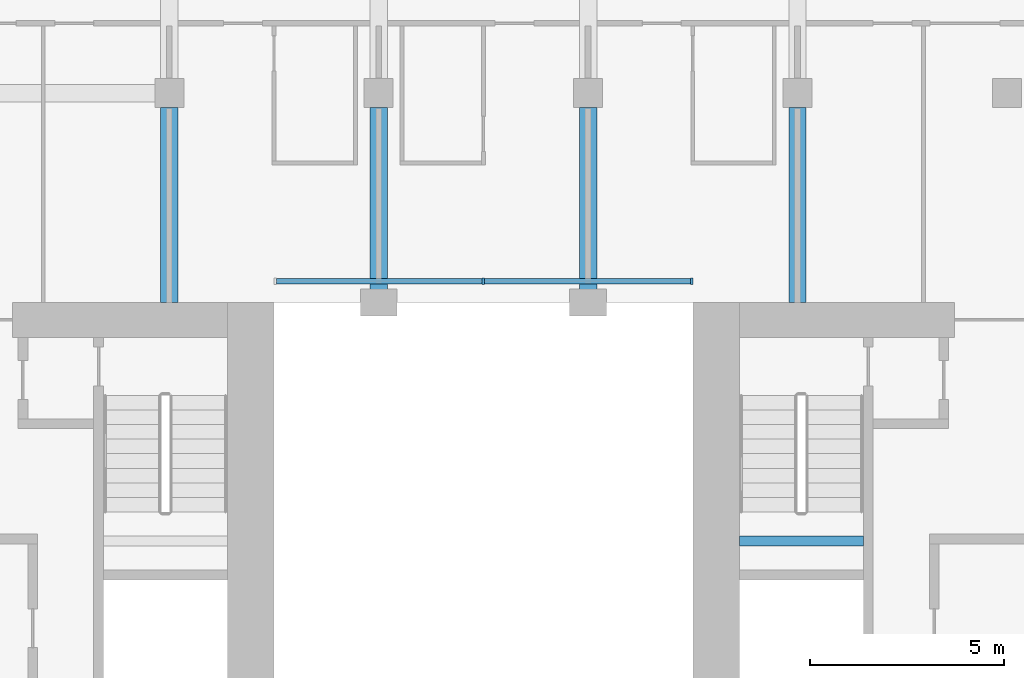
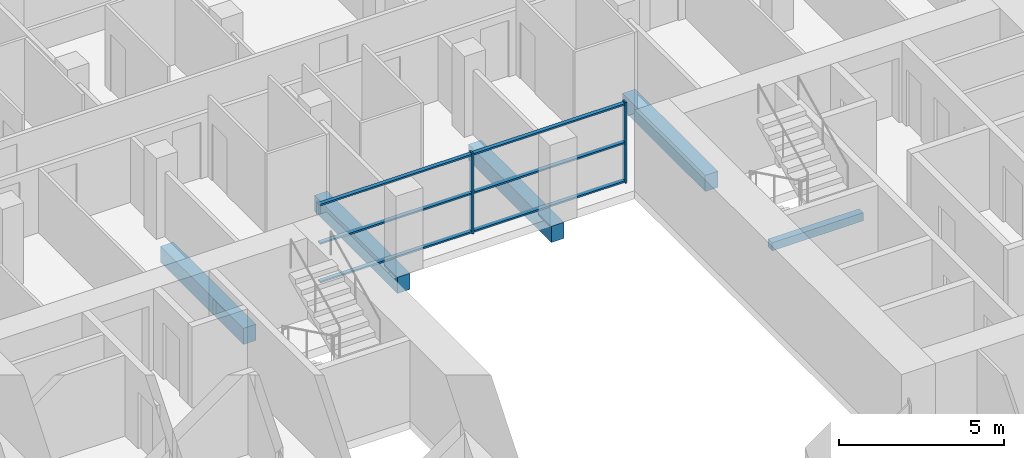
# One storey, part 4 of 14: 8 members, 5 beams, 1 element without a shape of its own.
"""IFC4 building model written with IfcOpenShell, lengths in metres."""

import ifcopenshell
import ifcopenshell.guid

model = None  # the IFC model being written
_history = None  # IfcOwnerHistory: only IFC2X3 demands one
_inside = {}  # id of a spatial element -> (the spatial element, [elements in it])
_under = {}  # id of a project, library or spatial element -> (it, [spatial elements below it])
_declared = {}  # id of a project -> (the project, [libraries it declares])
_typed = {}  # id of a type object -> (the type object, [elements of that type])
_made_of = {}  # id of a material, layer set ... -> (it, [elements and type objects made of it])


def new_model(schema):
    """Start an empty IFC model of exactly this schema.

    Asked for "IFC4X3", IfcOpenShell would pick the latest addendum, in which some entities
    have other attributes; the version numbers below select the first issue.
    IFC2X3 requires an IfcOwnerHistory on every rooted entity: one is made here for all.
    """
    global model, _history
    if schema == "IFC4X3":
        model = ifcopenshell.file(schema_version=(4, 3, 0, 0))
    else:
        model = ifcopenshell.file(schema=schema)
    _inside.clear()
    _under.clear()
    _declared.clear()
    _typed.clear()
    _made_of.clear()
    _history = None
    if model.schema == "IFC2X3":
        org = make("IfcOrganization", Name="unknown")
        user = make(
            "IfcPersonAndOrganization",
            ThePerson=make("IfcPerson", FamilyName="unknown"),
            TheOrganization=org,
        )
        app = make(
            "IfcApplication",
            ApplicationDeveloper=org,
            Version="unknown",
            ApplicationFullName="unknown",
            ApplicationIdentifier="unknown",
        )
        _history = make(
            "IfcOwnerHistory",
            OwningUser=user,
            OwningApplication=app,
            ChangeAction="ADDED",
            CreationDate=0,
        )
    return model


def make(cls, **values):
    """One entity of the class cls with the attributes given. An attribute that is None is left unset."""
    return model.create_entity(
        cls, **{name: value for name, value in values.items() if value is not None}
    )


def rooted(cls, **values):
    """An entity with a GlobalId (a new one), such as an element, a storey or a relation."""
    return make(cls, GlobalId=ifcopenshell.guid.new(), OwnerHistory=_history, **values)


def si_unit(unit_type, name, prefix=None):
    """IfcSIUnit, for example si_unit("LENGTHUNIT", "METRE", prefix="MILLI")."""
    return make("IfcSIUnit", UnitType=unit_type, Prefix=prefix, Name=name)


def assignment(units):
    """IfcUnitAssignment: the units of a project."""
    return None if units is None else make("IfcUnitAssignment", Units=units)


def point(xyz):
    """IfcCartesianPoint."""
    return None if xyz is None else make("IfcCartesianPoint", Coordinates=xyz)


def direction(xyz):
    """IfcDirection."""
    return None if xyz is None else make("IfcDirection", DirectionRatios=xyz)


def frame(location, z_axis=None, x_axis=None):
    """IfcAxis2Placement3D, a coordinate frame: its origin and axes. An axis left out is left unset."""
    return make(
        "IfcAxis2Placement3D",
        Location=point(location),
        Axis=direction(z_axis),
        RefDirection=direction(x_axis),
    )


def frame_2d(location, x_axis=None):
    """IfcAxis2Placement2D, a coordinate frame in the plane: its origin and x axis."""
    return make(
        "IfcAxis2Placement2D", Location=point(location), RefDirection=direction(x_axis)
    )


def origin():
    """The frame at (0, 0, 0) with its axes left unset."""
    return frame((0.0, 0.0, 0.0))


def origin_2d():
    """The frame at (0, 0) in the plane with its x axis left unset."""
    return frame_2d((0.0, 0.0))


def place(relative_to, where):
    """IfcLocalPlacement: puts the frame where relative to a parent placement (None: the world)."""
    return make(
        "IfcLocalPlacement", PlacementRelTo=relative_to, RelativePlacement=where
    )


def context(
    kind, dimensions, precision=None, world=None, true_north=None, identifier=None
):
    """IfcGeometricRepresentationContext, for example the 3D "Model" context."""
    return make(
        "IfcGeometricRepresentationContext",
        ContextIdentifier=identifier,
        ContextType=kind,
        CoordinateSpaceDimension=dimensions,
        Precision=precision,
        WorldCoordinateSystem=world,
        TrueNorth=true_north,
    )


def subcontext(parent, identifier, kind, view, scale=None):
    """IfcGeometricRepresentationSubContext, for example "Body" below "Model"."""
    return make(
        "IfcGeometricRepresentationSubContext",
        ContextIdentifier=identifier,
        ContextType=kind,
        ParentContext=parent,
        TargetScale=scale,
        TargetView=view,
    )


def project(units=None, contexts=None):
    """IfcProject with its units and contexts."""
    return rooted(
        "IfcProject",
        Name="project",
        RepresentationContexts=contexts,
        UnitsInContext=assignment(units),
    )


def spatial(cls, under=None, at=None, **own):
    """A site, building, storey or space (cls), placed at a placement, below another one or the project."""
    s = rooted(cls, ObjectPlacement=at, **own)
    if under is not None:
        _under.setdefault(under.id(), (under, []))[1].append(s)
    return s


def profile(cls, at=None, kind="AREA", **sizes):
    """A parametric profile (cls). Its sizes go by their IFC names, for example OverallWidth=200.0."""
    return make(cls, ProfileType=kind, Position=at, **sizes)


def rectangle(**sizes):
    """IfcRectangleProfileDef."""
    return profile("IfcRectangleProfileDef", **sizes)


def extrude(swept, where, along, depth):
    """IfcExtrudedAreaSolid: the profile swept, set in the frame where, extruded along a direction by depth."""
    return make(
        "IfcExtrudedAreaSolid",
        SweptArea=swept,
        Position=where,
        ExtrudedDirection=direction(along),
        Depth=depth,
    )


def shape(context_of_items, identifier, shape_type, items):
    """IfcShapeRepresentation: the items that make up one representation, for example the "Body"."""
    return make(
        "IfcShapeRepresentation",
        ContextOfItems=context_of_items,
        RepresentationIdentifier=identifier,
        RepresentationType=shape_type,
        Items=items,
    )


def material(Name=None, Category=None):
    """IfcMaterial."""
    return make("IfcMaterial", Name=Name, Category=Category)


def material_profile(
    of_material, cross_section, Name=None, Category=None, Priority=None
):
    """IfcMaterialProfile: a cross section and its material."""
    return make(
        "IfcMaterialProfile",
        Name=Name,
        Material=of_material,
        Profile=cross_section,
        Priority=Priority,
        Category=Category,
    )


def profile_set(profiles, Name=None, composite=None):
    """IfcMaterialProfileSet."""
    return make(
        "IfcMaterialProfileSet",
        Name=Name,
        MaterialProfiles=profiles,
        CompositeProfile=composite,
    )


def made_of(thing, what):
    """Note that an element or type object is made of a material, layer set ...; save() writes the relation."""
    if what is not None:
        _made_of.setdefault(what.id(), (what, []))[1].append(thing)
    return thing


def type_object(cls, material=None, **own):
    """A type object (cls), such as IfcWallType, which elements share."""
    return made_of(rooted(cls, **own), material)


def element(
    cls,
    number,
    at=None,
    inside=None,
    cuts=None,
    type_object=None,
    material=None,
    context=None,
    identifier="Body",
    shape_type=None,
    held_by="IfcProductDefinitionShape",
    body=None,
    shapes=None,
    **own,
):
    """One element of the class cls, such as IfcWall. Its Tag is "e" and its number.

    at: its placement. inside: the storey or other place that contains it. cuts: it is an
    opening in that element (IfcRelVoidsElement). A single representation is given by context,
    identifier, shape_type and body (its items); several are given by shapes. held_by: the class
    of the entity that holds the representations. save() writes the other relations.
    """
    e = rooted(cls, Tag="e%d" % number, ObjectPlacement=at, **own)
    if body is not None:
        shapes = [shape(context, identifier, shape_type, body)]
    if shapes is not None:
        e.Representation = make(held_by, Representations=shapes)
    if inside is not None:
        _inside.setdefault(inside.id(), (inside, []))[1].append(e)
    if cuts is not None:
        rooted(
            "IfcRelVoidsElement", RelatingBuildingElement=cuts, RelatedOpeningElement=e
        )
    if type_object is not None:
        _typed.setdefault(type_object.id(), (type_object, []))[1].append(e)
    return made_of(e, material)


def aggregate(whole, parts):
    """IfcRelAggregates: a whole, such as a stair, and the parts it consists of."""
    return rooted("IfcRelAggregates", RelatingObject=whole, RelatedObjects=parts)


def save(model, path):
    """Write the relations noted so far, then the file.

    IfcRelAggregates (storeys below a building ...), IfcRelContainedInSpatialStructure (elements
    in a storey), IfcRelDefinesByType, IfcRelAssociatesMaterial and IfcRelDeclares: one each for
    every whole, place, type object, material and project.
    """
    for whole, parts in _under.values():
        aggregate(whole, parts)
    for where, things in _inside.values():
        rooted(
            "IfcRelContainedInSpatialStructure",
            RelatedElements=things,
            RelatingStructure=where,
        )
    for kind, things in _typed.values():
        rooted("IfcRelDefinesByType", RelatedObjects=things, RelatingType=kind)
    for what, things in _made_of.values():
        rooted("IfcRelAssociatesMaterial", RelatedObjects=things, RelatingMaterial=what)
    for by, libraries in _declared.values():
        rooted("IfcRelDeclares", RelatingContext=by, RelatedDefinitions=libraries)
    model.write(path)


model = new_model("IFC4")

# Units and contexts
model_context = context("Model", 3, precision=1e-05, world=origin(), true_north=direction((0.0, 1.0)))
body_context = subcontext(model_context, "Body", "Model", "MODEL_VIEW")
ifc_project = project(units=[si_unit("LENGTHUNIT", "METRE"), si_unit("AREAUNIT", "SQUARE_METRE"), si_unit("VOLUMEUNIT", "CUBIC_METRE"), si_unit("PLANEANGLEUNIT", "RADIAN"), si_unit("MASSUNIT", "GRAM", prefix="KILO")], contexts=[model_context])

# Site, building, storey
site_placement = place(None, origin())
site = spatial("IfcSite", under=ifc_project, at=site_placement, CompositionType="ELEMENT")
building_placement = place(site_placement, origin())
building = spatial("IfcBuilding", under=site, at=building_placement, Name="Tabaq Tower and Sports Hall", CompositionType="ELEMENT")
storey_placement = place(building_placement, frame((0.0, 0.0, 223.60009765625)))
storey = spatial("IfcBuildingStorey", under=building, at=storey_placement, Name="L56", CompositionType="ELEMENT", Elevation=223.60009765625)

# Curtain wall, members
ifc_material_1 = material(Name="Aluminium alloy 6063-T6 framed glazing", Category="aluminium")
curtain_wall_type = type_object("IfcCurtainWallType", Name="CW1 curtain wall", PredefinedType="USERDEFINED", material=ifc_material_1)
curtain_wall_placement = place(storey_placement, origin())
curtain_wall = element("IfcCurtainWall", 1, at=curtain_wall_placement, inside=storey, type_object=curtain_wall_type, Name="Atrium glazing L56 N", ObjectType="ATRIUM ENCLOSURE", PredefinedType="USERDEFINED")
ifc_material_2 = material(Name="Aluminium alloy 6063-T6", Category="aluminium")
ifc_material_profile_1 = material_profile(ifc_material_2, rectangle(XDim=0.159912109375, YDim=0.06005859375, at=origin_2d()), Name="MULLION 160x60")
ifc_profile_set_1 = profile_set([ifc_material_profile_1], Name="Aluminium alloy 6063-T6")
member_type_1 = type_object("IfcMemberType", Name="CW1 mullion 160x60", PredefinedType="MULLION", material=ifc_profile_set_1)
member_1_placement = place(storey_placement, frame((24.300048828125, 32.949951171875, 0.0), z_axis=(0.0, 0.0, 1.0), x_axis=(0.0, 1.0, 0.0)))
member_1 = element("IfcMember", 2, at=member_1_placement, type_object=member_type_1, Name="CW1 mullion 2", PredefinedType="MULLION", context=body_context, shape_type="SweptSolid", body=[
    extrude(rectangle(XDim=0.159912109375, YDim=0.06005859375, at=origin_2d()), origin(), (0.0, 0.0, 1.0), 3.0),
])
member_2_placement = place(storey_placement, frame((29.669921875, 32.949951171875, 0.0), z_axis=(0.0, 0.0, 1.0), x_axis=(0.0, 1.0, 0.0)))
member_2 = element("IfcMember", 3, at=member_2_placement, type_object=member_type_1, Name="CW1 mullion 3", PredefinedType="MULLION", context=body_context, shape_type="SweptSolid", body=[
    extrude(rectangle(XDim=0.159912109375, YDim=0.06005859375, at=origin_2d()), origin(), (0.0, 0.0, 1.0), 3.0),
])
ifc_material_3 = material(Name="Aluminium alloy 6063-T6", Category="aluminium")
ifc_material_profile_2 = material_profile(ifc_material_3, rectangle(XDim=0.139892578125, YDim=0.06005859375, at=origin_2d()), Name="TRANSOM 140x60")
ifc_profile_set_2 = profile_set([ifc_material_profile_2], Name="Aluminium alloy 6063-T6")
member_type_2 = type_object("IfcMemberType", Name="CW1 transom 140x60", PredefinedType="USERDEFINED", material=ifc_profile_set_2)
member_3_placement = place(storey_placement, frame((18.9599609375, 32.949951171875, 0.06982421875), z_axis=(1.0, 0.0, 0.0), x_axis=(0.0, 1.0, 0.0)))
member_3 = element("IfcMember", 4, at=member_3_placement, type_object=member_type_2, Name="CW1 transom 1.1", ObjectType="TRANSOM", PredefinedType="USERDEFINED", context=body_context, shape_type="SweptSolid", body=[
    extrude(rectangle(XDim=0.139892578125, YDim=0.06005859375, at=origin_2d()), origin(), (0.0, 0.0, 1.0), 5.31005859375),
])
member_4_placement = place(storey_placement, frame((18.9599609375, 32.949951171875, 1.5), z_axis=(1.0, 0.0, 0.0), x_axis=(0.0, 1.0, 0.0)))
member_4 = element("IfcMember", 5, at=member_4_placement, type_object=member_type_2, Name="CW1 transom 1.2", ObjectType="TRANSOM", PredefinedType="USERDEFINED", context=body_context, shape_type="SweptSolid", body=[
    extrude(rectangle(XDim=0.139892578125, YDim=0.06005859375, at=origin_2d()), origin(), (0.0, 0.0, 1.0), 5.31005859375),
])
member_5_placement = place(storey_placement, frame((18.9599609375, 32.949951171875, 2.929931640625), z_axis=(1.0, 0.0, 0.0), x_axis=(0.0, 1.0, 0.0)))
member_5 = element("IfcMember", 6, at=member_5_placement, type_object=member_type_2, Name="CW1 transom 1.3", ObjectType="TRANSOM", PredefinedType="USERDEFINED", context=body_context, shape_type="SweptSolid", body=[
    extrude(rectangle(XDim=0.139892578125, YDim=0.06005859375, at=origin_2d()), origin(), (0.0, 0.0, 1.0), 5.31005859375),
])
member_6_placement = place(storey_placement, frame((24.330078125, 32.949951171875, 0.06982421875), z_axis=(1.0, 0.0, 0.0), x_axis=(0.0, 1.0, 0.0)))
member_6 = element("IfcMember", 7, at=member_6_placement, type_object=member_type_2, Name="CW1 transom 2.1", ObjectType="TRANSOM", PredefinedType="USERDEFINED", context=body_context, shape_type="SweptSolid", body=[
    extrude(rectangle(XDim=0.139892578125, YDim=0.06005859375, at=origin_2d()), origin(), (0.0, 0.0, 1.0), 5.309814453125),
])
member_7_placement = place(storey_placement, frame((24.330078125, 32.949951171875, 1.5), z_axis=(1.0, 0.0, 0.0), x_axis=(0.0, 1.0, 0.0)))
member_7 = element("IfcMember", 8, at=member_7_placement, type_object=member_type_2, Name="CW1 transom 2.2", ObjectType="TRANSOM", PredefinedType="USERDEFINED", context=body_context, shape_type="SweptSolid", body=[
    extrude(rectangle(XDim=0.139892578125, YDim=0.06005859375, at=origin_2d()), origin(), (0.0, 0.0, 1.0), 5.309814453125),
])
member_8_placement = place(storey_placement, frame((24.330078125, 32.949951171875, 2.929931640625), z_axis=(1.0, 0.0, 0.0), x_axis=(0.0, 1.0, 0.0)))
member_8 = element("IfcMember", 9, at=member_8_placement, type_object=member_type_2, Name="CW1 transom 2.3", ObjectType="TRANSOM", PredefinedType="USERDEFINED", context=body_context, shape_type="SweptSolid", body=[
    extrude(rectangle(XDim=0.139892578125, YDim=0.06005859375, at=origin_2d()), origin(), (0.0, 0.0, 1.0), 5.309814453125),
])
aggregate(curtain_wall, [member_1, member_2, member_3, member_4, member_5, member_6, member_7, member_8])

# Beams
ifc_material_4 = material(Name="Concrete C40/50", Category="concrete")
ifc_material_profile_3 = material_profile(ifc_material_4, rectangle(XDim=0.449951171875, YDim=0.60009765625, at=origin_2d()), Name="CB 450x600")
ifc_profile_set_3 = profile_set([ifc_material_profile_3], Name="Concrete C40/50")
beam_type_1 = type_object("IfcBeamType", Name="PT CANTILEVER BEAM CB 450x600 C40/50", PredefinedType="BEAM", material=ifc_profile_set_3)
for number, where, z_axis, x_axis, name in (
    (10, (16.199951171875, 37.425048828125, -0.60009765625), (0.0, -1.0, 0.0), (1.0, 0.0, 0.0), "Cantilever Beam L56 N3 span 3"),
    (11, (21.60009765625, 37.425048828125, -0.60009765625), (0.0, -1.0, 0.0), (1.0, 0.0, 0.0), "Cantilever Beam L56 N4 span 3"),
    (12, (27.0, 37.425048828125, -0.60009765625), (0.0, -1.0, 0.0), (1.0, 0.0, 0.0), "Cantilever Beam L56 N5 span 3"),
    (13, (32.39990234375, 37.425048828125, -0.60009765625), (0.0, -1.0, 0.0), (1.0, 0.0, 0.0), "Cantilever Beam L56 N6 span 3"),
):
    element("IfcBeam", number, at=place(storey_placement, frame(where, z_axis=z_axis, x_axis=x_axis)), inside=storey, type_object=beam_type_1, Name=name, PredefinedType="BEAM", context=body_context, shape_type="SweptSolid", body=[
        extrude(rectangle(XDim=0.449951171875, YDim=0.60009765625, at=origin_2d()), origin(), (0.0, 0.0, 1.0), 5.025146484375),
    ])
ifc_material_5 = material(Name="Concrete C40/50", Category="concrete")
ifc_material_profile_4 = material_profile(ifc_material_5, rectangle(XDim=0.25, YDim=0.300048828125, at=origin_2d()), Name="RC 250x300")
ifc_profile_set_4 = profile_set([ifc_material_profile_4], Name="Concrete C40/50")
beam_type_2 = type_object("IfcBeamType", Name="Stair landing beam 250x300", PredefinedType="BEAM", material=ifc_profile_set_4)
beam_placement = place(storey_placement, frame((30.89990234375, 26.25, 1.2998046875), z_axis=(1.0, 0.0, 0.0), x_axis=(0.0, 1.0, 0.0)))
element("IfcBeam", 14, at=beam_placement, inside=storey, type_object=beam_type_2, Name="L56 ST4 landing beam 1", PredefinedType="BEAM", context=body_context, shape_type="SweptSolid", body=[
    extrude(rectangle(XDim=0.25, YDim=0.300048828125, at=origin_2d()), origin(), (0.0, 0.0, 1.0), 3.2001953125),
])

save(model, "model.ifc")
